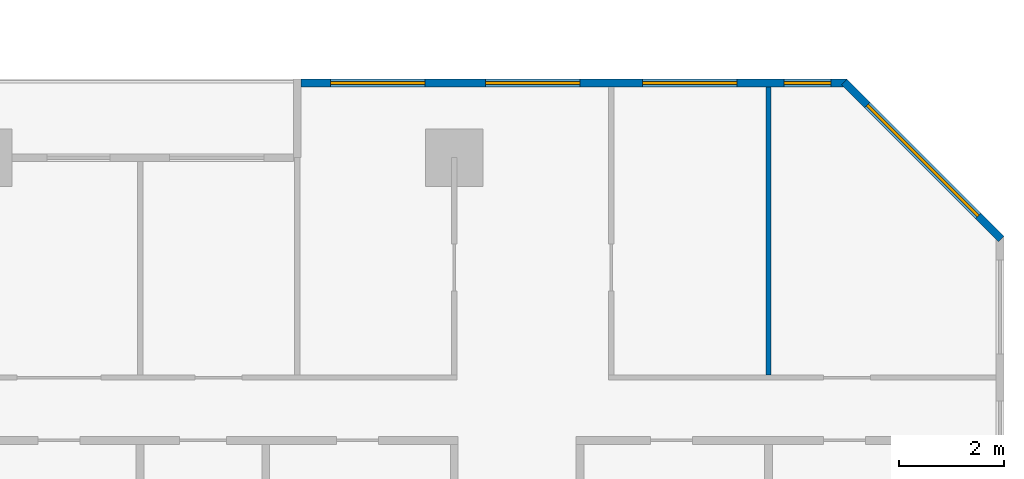
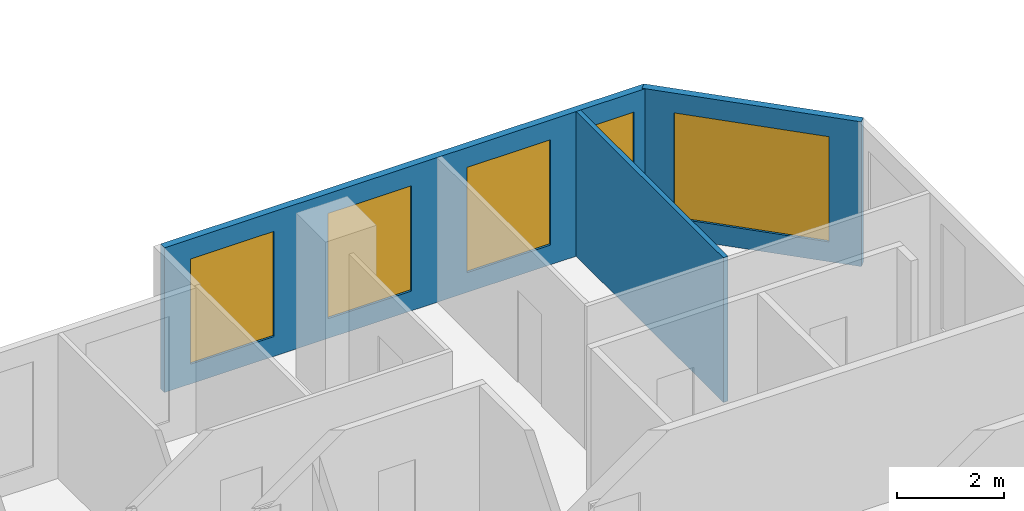
# One storey, part 13 of 16: 5 windows, 3 walls, 5 openings.
"""IFC4 building model written with IfcOpenShell, lengths in metres."""

import ifcopenshell
import ifcopenshell.guid

model = None  # the IFC model being written
_history = None  # IfcOwnerHistory: only IFC2X3 demands one
_inside = {}  # id of a spatial element -> (the spatial element, [elements in it])
_under = {}  # id of a project, library or spatial element -> (it, [spatial elements below it])
_declared = {}  # id of a project -> (the project, [libraries it declares])
_typed = {}  # id of a type object -> (the type object, [elements of that type])
_made_of = {}  # id of a material, layer set ... -> (it, [elements and type objects made of it])


def new_model(schema):
    """Start an empty IFC model of exactly this schema.

    Asked for "IFC4X3", IfcOpenShell would pick the latest addendum, in which some entities
    have other attributes; the version numbers below select the first issue.
    IFC2X3 requires an IfcOwnerHistory on every rooted entity: one is made here for all.
    """
    global model, _history
    if schema == "IFC4X3":
        model = ifcopenshell.file(schema_version=(4, 3, 0, 0))
    else:
        model = ifcopenshell.file(schema=schema)
    _inside.clear()
    _under.clear()
    _declared.clear()
    _typed.clear()
    _made_of.clear()
    _history = None
    if model.schema == "IFC2X3":
        org = make("IfcOrganization", Name="unknown")
        user = make(
            "IfcPersonAndOrganization",
            ThePerson=make("IfcPerson", FamilyName="unknown"),
            TheOrganization=org,
        )
        app = make(
            "IfcApplication",
            ApplicationDeveloper=org,
            Version="unknown",
            ApplicationFullName="unknown",
            ApplicationIdentifier="unknown",
        )
        _history = make(
            "IfcOwnerHistory",
            OwningUser=user,
            OwningApplication=app,
            ChangeAction="ADDED",
            CreationDate=0,
        )
    return model


def make(cls, **values):
    """One entity of the class cls with the attributes given. An attribute that is None is left unset."""
    return model.create_entity(
        cls, **{name: value for name, value in values.items() if value is not None}
    )


def rooted(cls, **values):
    """An entity with a GlobalId (a new one), such as an element, a storey or a relation."""
    return make(cls, GlobalId=ifcopenshell.guid.new(), OwnerHistory=_history, **values)


def si_unit(unit_type, name, prefix=None):
    """IfcSIUnit, for example si_unit("LENGTHUNIT", "METRE", prefix="MILLI")."""
    return make("IfcSIUnit", UnitType=unit_type, Prefix=prefix, Name=name)


def assignment(units):
    """IfcUnitAssignment: the units of a project."""
    return None if units is None else make("IfcUnitAssignment", Units=units)


def point(xyz):
    """IfcCartesianPoint."""
    return None if xyz is None else make("IfcCartesianPoint", Coordinates=xyz)


def direction(xyz):
    """IfcDirection."""
    return None if xyz is None else make("IfcDirection", DirectionRatios=xyz)


def frame(location, z_axis=None, x_axis=None):
    """IfcAxis2Placement3D, a coordinate frame: its origin and axes. An axis left out is left unset."""
    return make(
        "IfcAxis2Placement3D",
        Location=point(location),
        Axis=direction(z_axis),
        RefDirection=direction(x_axis),
    )


def frame_2d(location, x_axis=None):
    """IfcAxis2Placement2D, a coordinate frame in the plane: its origin and x axis."""
    return make(
        "IfcAxis2Placement2D", Location=point(location), RefDirection=direction(x_axis)
    )


def origin():
    """The frame at (0, 0, 0) with its axes left unset."""
    return frame((0.0, 0.0, 0.0))


def place(relative_to, where):
    """IfcLocalPlacement: puts the frame where relative to a parent placement (None: the world)."""
    return make(
        "IfcLocalPlacement", PlacementRelTo=relative_to, RelativePlacement=where
    )


def context(
    kind, dimensions, precision=None, world=None, true_north=None, identifier=None
):
    """IfcGeometricRepresentationContext, for example the 3D "Model" context."""
    return make(
        "IfcGeometricRepresentationContext",
        ContextIdentifier=identifier,
        ContextType=kind,
        CoordinateSpaceDimension=dimensions,
        Precision=precision,
        WorldCoordinateSystem=world,
        TrueNorth=true_north,
    )


def subcontext(parent, identifier, kind, view, scale=None):
    """IfcGeometricRepresentationSubContext, for example "Body" below "Model"."""
    return make(
        "IfcGeometricRepresentationSubContext",
        ContextIdentifier=identifier,
        ContextType=kind,
        ParentContext=parent,
        TargetScale=scale,
        TargetView=view,
    )


def project(units=None, contexts=None):
    """IfcProject with its units and contexts."""
    return rooted(
        "IfcProject",
        Name="project",
        RepresentationContexts=contexts,
        UnitsInContext=assignment(units),
    )


def spatial(cls, under=None, at=None, **own):
    """A site, building, storey or space (cls), placed at a placement, below another one or the project."""
    s = rooted(cls, ObjectPlacement=at, **own)
    if under is not None:
        _under.setdefault(under.id(), (under, []))[1].append(s)
    return s


def profile(cls, at=None, kind="AREA", **sizes):
    """A parametric profile (cls). Its sizes go by their IFC names, for example OverallWidth=200.0."""
    return make(cls, ProfileType=kind, Position=at, **sizes)


def rectangle(**sizes):
    """IfcRectangleProfileDef."""
    return profile("IfcRectangleProfileDef", **sizes)


def extrude(swept, where, along, depth):
    """IfcExtrudedAreaSolid: the profile swept, set in the frame where, extruded along a direction by depth."""
    return make(
        "IfcExtrudedAreaSolid",
        SweptArea=swept,
        Position=where,
        ExtrudedDirection=direction(along),
        Depth=depth,
    )


def shape(context_of_items, identifier, shape_type, items):
    """IfcShapeRepresentation: the items that make up one representation, for example the "Body"."""
    return make(
        "IfcShapeRepresentation",
        ContextOfItems=context_of_items,
        RepresentationIdentifier=identifier,
        RepresentationType=shape_type,
        Items=items,
    )


def material(Name=None, Category=None):
    """IfcMaterial."""
    return make("IfcMaterial", Name=Name, Category=Category)


def layer(
    of_material, thickness, ventilated=None, Name=None, Category=None, Priority=None
):
    """IfcMaterialLayer: one layer of a wall or slab, of a material (None: an air gap)."""
    return make(
        "IfcMaterialLayer",
        Material=of_material,
        LayerThickness=thickness,
        IsVentilated=ventilated,
        Name=Name,
        Category=Category,
        Priority=Priority,
    )


def layer_set(layers, Name=None):
    """IfcMaterialLayerSet."""
    return make("IfcMaterialLayerSet", MaterialLayers=layers, LayerSetName=Name)


def made_of(thing, what):
    """Note that an element or type object is made of a material, layer set ...; save() writes the relation."""
    if what is not None:
        _made_of.setdefault(what.id(), (what, []))[1].append(thing)
    return thing


def type_object(cls, material=None, **own):
    """A type object (cls), such as IfcWallType, which elements share."""
    return made_of(rooted(cls, **own), material)


def element(
    cls,
    number,
    at=None,
    inside=None,
    cuts=None,
    type_object=None,
    material=None,
    context=None,
    identifier="Body",
    shape_type=None,
    held_by="IfcProductDefinitionShape",
    body=None,
    shapes=None,
    **own,
):
    """One element of the class cls, such as IfcWall. Its Tag is "e" and its number.

    at: its placement. inside: the storey or other place that contains it. cuts: it is an
    opening in that element (IfcRelVoidsElement). A single representation is given by context,
    identifier, shape_type and body (its items); several are given by shapes. held_by: the class
    of the entity that holds the representations. save() writes the other relations.
    """
    e = rooted(cls, Tag="e%d" % number, ObjectPlacement=at, **own)
    if body is not None:
        shapes = [shape(context, identifier, shape_type, body)]
    if shapes is not None:
        e.Representation = make(held_by, Representations=shapes)
    if inside is not None:
        _inside.setdefault(inside.id(), (inside, []))[1].append(e)
    if cuts is not None:
        rooted(
            "IfcRelVoidsElement", RelatingBuildingElement=cuts, RelatedOpeningElement=e
        )
    if type_object is not None:
        _typed.setdefault(type_object.id(), (type_object, []))[1].append(e)
    return made_of(e, material)


def fill(opening, filler):
    """IfcRelFillsElement: the door or window that sits in an opening."""
    return rooted(
        "IfcRelFillsElement",
        RelatingOpeningElement=opening,
        RelatedBuildingElement=filler,
    )


def aggregate(whole, parts):
    """IfcRelAggregates: a whole, such as a stair, and the parts it consists of."""
    return rooted("IfcRelAggregates", RelatingObject=whole, RelatedObjects=parts)


def save(model, path):
    """Write the relations noted so far, then the file.

    IfcRelAggregates (storeys below a building ...), IfcRelContainedInSpatialStructure (elements
    in a storey), IfcRelDefinesByType, IfcRelAssociatesMaterial and IfcRelDeclares: one each for
    every whole, place, type object, material and project.
    """
    for whole, parts in _under.values():
        aggregate(whole, parts)
    for where, things in _inside.values():
        rooted(
            "IfcRelContainedInSpatialStructure",
            RelatedElements=things,
            RelatingStructure=where,
        )
    for kind, things in _typed.values():
        rooted("IfcRelDefinesByType", RelatedObjects=things, RelatingType=kind)
    for what, things in _made_of.values():
        rooted("IfcRelAssociatesMaterial", RelatedObjects=things, RelatingMaterial=what)
    for by, libraries in _declared.values():
        rooted("IfcRelDeclares", RelatingContext=by, RelatedDefinitions=libraries)
    model.write(path)


model = new_model("IFC4")

# Units and contexts
model_context = context("Model", 3, precision=1e-05, world=origin(), true_north=direction((0.0, 1.0)))
body_context = subcontext(model_context, "Body", "Model", "MODEL_VIEW")
ifc_project = project(units=[si_unit("LENGTHUNIT", "METRE"), si_unit("AREAUNIT", "SQUARE_METRE"), si_unit("VOLUMEUNIT", "CUBIC_METRE"), si_unit("PLANEANGLEUNIT", "RADIAN"), si_unit("MASSUNIT", "GRAM", prefix="KILO")], contexts=[model_context])

# Site, building, storey
site_placement = place(None, origin())
site = spatial("IfcSite", under=ifc_project, at=site_placement, CompositionType="ELEMENT")
building_placement = place(site_placement, origin())
building = spatial("IfcBuilding", under=site, at=building_placement, Name="Chenar Terraces", CompositionType="ELEMENT")
storey_placement = place(building_placement, frame((0.0, 0.0, 82.64990234375)))
storey = spatial("IfcBuildingStorey", under=building, at=storey_placement, Name="L18", CompositionType="ELEMENT", Elevation=82.64990234375)

# Wall, openings, windows
ifc_material_1 = material(Name="Aluminium framed glazing", Category="aluminium")
ifc_layer_1 = layer(ifc_material_1, 0.14990234375)
ifc_layer_set_1 = layer_set([ifc_layer_1], Name="Aluminium framed glazing")
wall_type_1 = type_object("IfcWallType", Name="Glazed flush facade wall 150", PredefinedType="SOLIDWALL", material=ifc_layer_set_1)
wall_1_placement = place(storey_placement, frame((70.5, 25.425048828125, 0.0), z_axis=(0.0, 0.0, 1.0), x_axis=(-1.0, 0.0, 0.0)))
wall_1 = element("IfcWall", 1, at=wall_1_placement, inside=storey, type_object=wall_type_1, Name="Glazed flush facade wall", PredefinedType="SOLIDWALL", context=body_context, shape_type="SweptSolid", body=[
    extrude(rectangle(XDim=10.425048828125, YDim=0.14990234375, at=frame_2d((5.21240234375, 0.0))), origin(), (0.0, 0.0, 1.0), 3.300048828125),
])
opening_1_placement = place(wall_1_placement, frame((0.300048828125, 0.0, 0.449951171875)))
opening_1 = element("IfcOpeningElement", 2, at=opening_1_placement, cuts=wall_1, Name="Opening W90x240", PredefinedType="OPENING", context=body_context, shape_type="SweptSolid", body=[
    extrude(rectangle(XDim=0.89990234375, YDim=2.39990234375, at=frame_2d((0.449951171875, 1.199951171875))), frame((0.0, 0.0849609375, 0.0), z_axis=(0.0, -1.0, 0.0), x_axis=(1.0, 0.0, 0.0)), (0.0, 0.0, 1.0), 0.169921875),
])
opening_2_placement = place(wall_1_placement, frame((2.10009765625, 0.0, 0.449951171875)))
opening_2 = element("IfcOpeningElement", 3, at=opening_2_placement, cuts=wall_1, Name="Opening W180x240", PredefinedType="OPENING", context=body_context, shape_type="SweptSolid", body=[
    extrude(rectangle(XDim=1.800048828125, YDim=2.39990234375, at=frame_2d((0.89990234375, 1.199951171875))), frame((0.0, 0.0849609375, 0.0), z_axis=(0.0, -1.0, 0.0), x_axis=(1.0, 0.0, 0.0)), (0.0, 0.0, 1.0), 0.169921875),
])
opening_3_placement = place(wall_1_placement, frame((5.10009765625, 0.0, 0.449951171875)))
opening_3 = element("IfcOpeningElement", 4, at=opening_3_placement, cuts=wall_1, Name="Opening W180x240", PredefinedType="OPENING", context=body_context, shape_type="SweptSolid", body=[
    extrude(rectangle(XDim=1.800048828125, YDim=2.39990234375, at=frame_2d((0.89990234375, 1.199951171875))), frame((0.0, 0.0849609375, 0.0), z_axis=(0.0, -1.0, 0.0), x_axis=(1.0, 0.0, 0.0)), (0.0, 0.0, 1.0), 0.169921875),
])
opening_4_placement = place(wall_1_placement, frame((8.0625, 0.0, 0.449951171875)))
opening_4 = element("IfcOpeningElement", 5, at=opening_4_placement, cuts=wall_1, Name="Opening W180x240", PredefinedType="OPENING", context=body_context, shape_type="SweptSolid", body=[
    extrude(rectangle(XDim=1.800048828125, YDim=2.39990234375, at=frame_2d((0.89990234375, 1.199951171875))), frame((0.0, 0.0849609375, 0.0), z_axis=(0.0, -1.0, 0.0), x_axis=(1.0, 0.0, 0.0)), (0.0, 0.0, 1.0), 0.169921875),
])
ifc_material_2 = material(Name="Low emissivity double glazing, aluminium frame", Category="aluminium")
window_type_1 = type_object("IfcWindowType", Name="Fixed light 1800 x 2400", PartitioningType="SINGLE_PANEL", PredefinedType="WINDOW", material=ifc_material_2)
window_1_placement = place(opening_2_placement, origin())
window_1 = element("IfcWindow", 6, at=window_1_placement, inside=storey, type_object=window_type_1, Name="Window", OverallHeight=2.39990234375, OverallWidth=1.800048828125, PartitioningType="SINGLE_PANEL", PredefinedType="WINDOW", context=body_context, shape_type="SweptSolid", body=[
    extrude(rectangle(XDim=1.800048828125, YDim=2.39990234375, at=frame_2d((0.89990234375, 1.199951171875))), frame((0.0, 0.030029296875, 0.0), z_axis=(0.0, -1.0, 0.0), x_axis=(1.0, 0.0, 0.0)), (0.0, 0.0, 1.0), 0.06005859375),
])
fill(opening_2, window_1)
window_2_placement = place(opening_3_placement, origin())
window_2 = element("IfcWindow", 7, at=window_2_placement, inside=storey, type_object=window_type_1, Name="Window", OverallHeight=2.39990234375, OverallWidth=1.800048828125, PartitioningType="SINGLE_PANEL", PredefinedType="WINDOW", context=body_context, shape_type="SweptSolid", body=[
    extrude(rectangle(XDim=1.800048828125, YDim=2.39990234375, at=frame_2d((0.89990234375, 1.199951171875))), frame((0.0, 0.030029296875, 0.0), z_axis=(0.0, -1.0, 0.0), x_axis=(1.0, 0.0, 0.0)), (0.0, 0.0, 1.0), 0.06005859375),
])
fill(opening_3, window_2)
window_3_placement = place(opening_4_placement, origin())
window_3 = element("IfcWindow", 8, at=window_3_placement, inside=storey, type_object=window_type_1, Name="Window", OverallHeight=2.39990234375, OverallWidth=1.800048828125, PartitioningType="SINGLE_PANEL", PredefinedType="WINDOW", context=body_context, shape_type="SweptSolid", body=[
    extrude(rectangle(XDim=1.800048828125, YDim=2.39990234375, at=frame_2d((0.89990234375, 1.199951171875))), frame((0.0, 0.030029296875, 0.0), z_axis=(0.0, -1.0, 0.0), x_axis=(1.0, 0.0, 0.0)), (0.0, 0.0, 1.0), 0.06005859375),
])
fill(opening_4, window_3)
ifc_material_3 = material(Name="Low emissivity double glazing, aluminium frame", Category="aluminium")
window_type_2 = type_object("IfcWindowType", Name="Fixed light 900 x 2400", PartitioningType="SINGLE_PANEL", PredefinedType="WINDOW", material=ifc_material_3)
window_4_placement = place(opening_1_placement, origin())
window_4 = element("IfcWindow", 9, at=window_4_placement, inside=storey, type_object=window_type_2, Name="Window", OverallHeight=2.39990234375, OverallWidth=0.89990234375, PartitioningType="SINGLE_PANEL", PredefinedType="WINDOW", context=body_context, shape_type="SweptSolid", body=[
    extrude(rectangle(XDim=0.89990234375, YDim=2.39990234375, at=frame_2d((0.449951171875, 1.199951171875))), frame((0.0, 0.030029296875, 0.0), z_axis=(0.0, -1.0, 0.0), x_axis=(1.0, 0.0, 0.0)), (0.0, 0.0, 1.0), 0.06005859375),
])
fill(opening_1, window_4)

# Wall
ifc_material_4 = material(Name="Gypsum board on steel studs", Category="steel")
ifc_layer_2 = layer(ifc_material_4, 0.10009765625)
ifc_layer_set_2 = layer_set([ifc_layer_2], Name="Gypsum board on steel studs")
wall_type_2 = type_object("IfcWallType", Name="Gypsum partition 100", PredefinedType="PARTITIONING", material=ifc_layer_set_2)
wall_2_placement = place(storey_placement, frame((69.0, 19.85009765625, 0.0), z_axis=(0.0, 0.0, 1.0), x_axis=(0.0, 1.0, 0.0)))
element("IfcWall", 10, at=wall_2_placement, inside=storey, type_object=wall_type_2, Name="Partition L18-108", PredefinedType="PARTITIONING", context=body_context, shape_type="SweptSolid", body=[
    extrude(rectangle(XDim=5.5009765625, YDim=0.10009765625, at=frame_2d((2.75048828125, 0.0))), origin(), (0.0, 0.0, 1.0), 3.300048828125),
])

# Wall, opening, window
ifc_material_5 = material(Name="Terracotta cladding on insulated backing", Category="masonry")
ifc_layer_3 = layer(ifc_material_5, 0.14990234375)
ifc_layer_set_3 = layer_set([ifc_layer_3], Name="Terracotta cladding on insulated backing")
wall_type_3 = type_object("IfcWallType", Name="Terracotta rainscreen wall 150", PredefinedType="SOLIDWALL", material=ifc_layer_set_3)
wall_3_placement = place(storey_placement, frame((73.447021484375, 22.447021484375, 0.0), z_axis=(0.0, 0.0, 1.0), x_axis=(-0.707106781187, 0.707106781187, 0.0)))
wall_3 = element("IfcWall", 11, at=wall_3_placement, inside=storey, type_object=wall_type_3, Name="Terracotta rainscreen wall", PredefinedType="SOLIDWALL", context=body_context, shape_type="SweptSolid", body=[
    extrude(rectangle(XDim=4.24267578125, YDim=0.14990234375, at=frame_2d((2.121337890625, 0.0))), origin(), (0.0, 0.0, 1.0), 3.300048828125),
])
opening_5_placement = place(wall_3_placement, frame((0.621337890625, 0.0, 0.449951171875)))
opening_5 = element("IfcOpeningElement", 12, at=opening_5_placement, cuts=wall_3, Name="Opening W300x240", PredefinedType="OPENING", context=body_context, shape_type="SweptSolid", body=[
    extrude(rectangle(XDim=3.0, YDim=2.39990234375, at=frame_2d((1.5, 1.199951171875))), frame((0.0, 0.0849609375, 0.0), z_axis=(0.0, -1.0, 0.0), x_axis=(1.0, 0.0, 0.0)), (0.0, 0.0, 1.0), 0.169921875),
])
ifc_material_6 = material(Name="Low emissivity double glazing, aluminium frame", Category="aluminium")
window_type_3 = type_object("IfcWindowType", Name="Fixed light 3000 x 2400", PartitioningType="SINGLE_PANEL", PredefinedType="WINDOW", material=ifc_material_6)
window_5_placement = place(opening_5_placement, origin())
window_5 = element("IfcWindow", 13, at=window_5_placement, inside=storey, type_object=window_type_3, Name="Window", OverallHeight=2.39990234375, OverallWidth=3.0, PartitioningType="SINGLE_PANEL", PredefinedType="WINDOW", context=body_context, shape_type="SweptSolid", body=[
    extrude(rectangle(XDim=3.0, YDim=2.39990234375, at=frame_2d((1.5, 1.199951171875))), frame((0.0, 0.030029296875, 0.0), z_axis=(0.0, -1.0, 0.0), x_axis=(1.0, 0.0, 0.0)), (0.0, 0.0, 1.0), 0.06005859375),
])
fill(opening_5, window_5)

save(model, "model.ifc")
